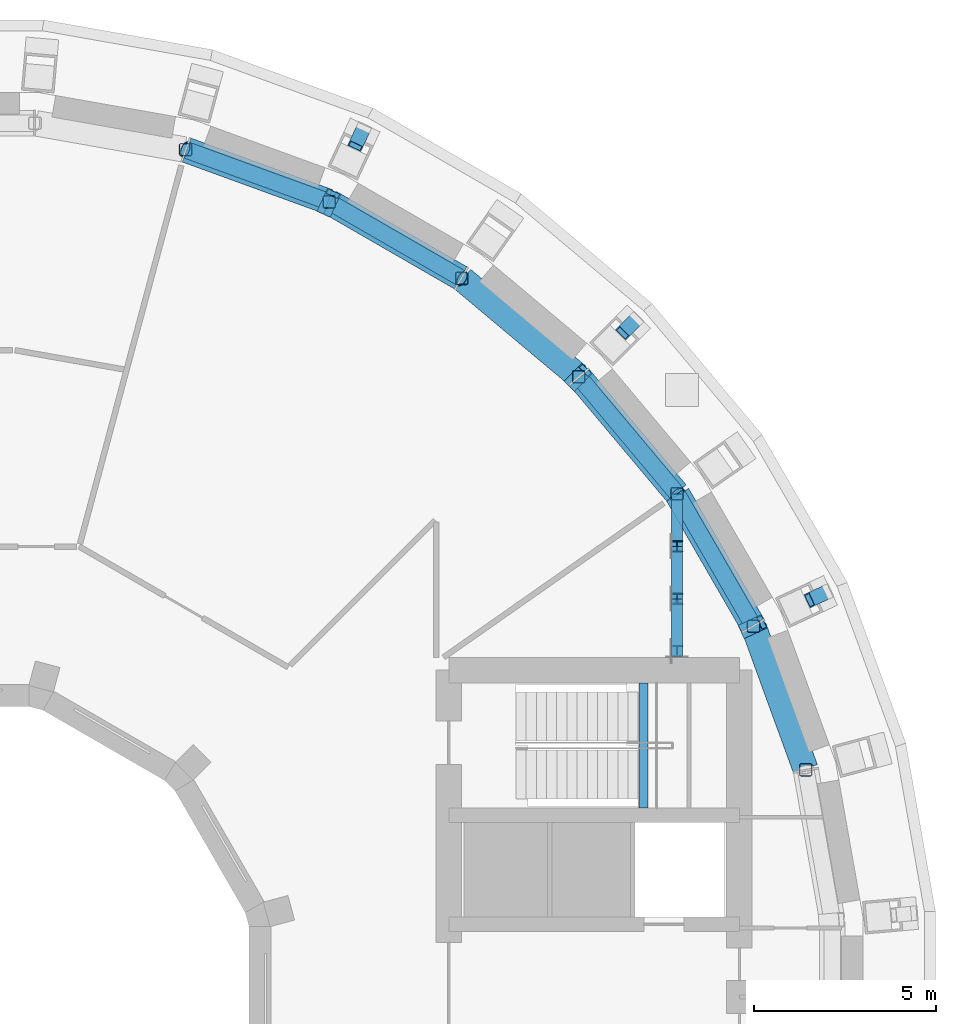
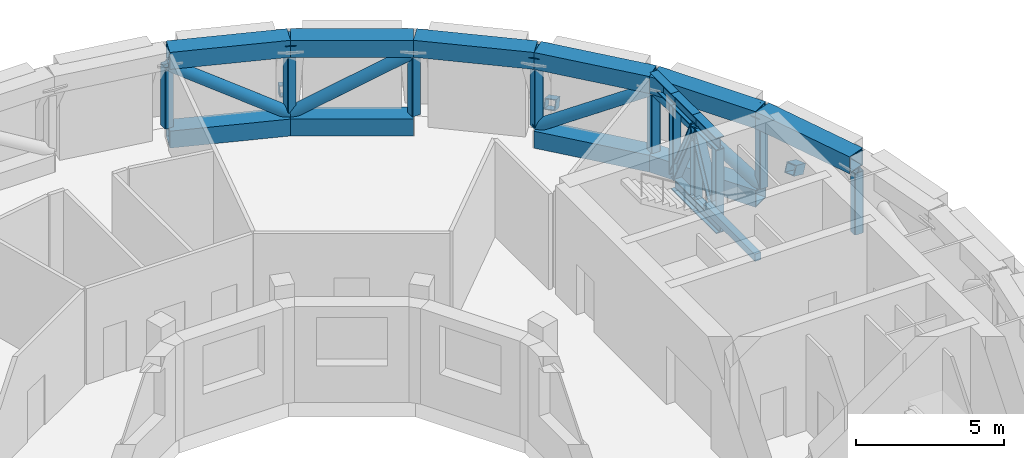
# One storey, part 6 of 20: 31 members, 7 beams.
"""IFC4 building model written with IfcOpenShell, lengths in metres."""

from ifc_helpers import new_model, si_unit, direction, frame, origin, origin_2d, place, context, subcontext, project, spatial, rectangle, hollow_rectangle, hollow_circle, i_section, extrude, material, material_profile, profile_set, type_object, element, save


model = new_model("IFC4")

# Units and contexts
model_context = context("Model", 3, precision=1e-05, world=origin(), true_north=direction((0.0, 1.0)))
body_context = subcontext(model_context, "Body", "Model", "MODEL_VIEW")
ifc_project = project(units=[si_unit("LENGTHUNIT", "METRE"), si_unit("AREAUNIT", "SQUARE_METRE"), si_unit("VOLUMEUNIT", "CUBIC_METRE"), si_unit("PLANEANGLEUNIT", "RADIAN"), si_unit("MASSUNIT", "GRAM", prefix="KILO")], contexts=[model_context])

# Site, building, storey
site_placement = place(None, origin())
site = spatial("IfcSite", under=ifc_project, at=site_placement, CompositionType="ELEMENT")
building_placement = place(site_placement, origin())
building = spatial("IfcBuilding", under=site, at=building_placement, Name="Saqina Gate Tower", CompositionType="ELEMENT")
storey_placement = place(building_placement, frame((0.0, 0.0, 151.300048828125)))
storey = spatial("IfcBuildingStorey", under=building, at=storey_placement, Name="L43", CompositionType="ELEMENT", Elevation=151.300048828125)

# Beam
ifc_material_1 = material(Name="Concrete C40/50", Category="concrete")
ifc_material_profile_1 = material_profile(ifc_material_1, rectangle(XDim=0.25, YDim=0.300048828125, at=origin_2d()), Name="STAIR LANDING BEAM")
ifc_profile_set_1 = profile_set([ifc_material_profile_1], Name="Concrete C40/50")
beam_type_1 = type_object("IfcBeamType", Name="STAIR LANDING BEAM", PredefinedType="BEAM", material=ifc_profile_set_1)
beam_placement = place(storey_placement, frame((18.860107421875, 5.199951171875, 1.849853515625), z_axis=(0.0, 1.0, 0.0), x_axis=(-1.0, 0.0, 0.0)))
element("IfcBeam", 1, at=beam_placement, inside=storey, type_object=beam_type_1, Name="EXIT STAIR 1 LANDING BEAM", PredefinedType="BEAM", context=body_context, shape_type="SweptSolid", body=[
    extrude(rectangle(XDim=0.25, YDim=0.300048828125, at=origin_2d()), origin(), (0.0, 0.0, 1.0), 3.449951171875),
])

# Members
ifc_material_2 = material(Name="Steel S460", Category="steel")
ifc_material_profile_2 = material_profile(ifc_material_2, hollow_rectangle(XDim=0.699951171875, YDim=0.699951171875, WallThickness=0.0400390625, at=origin_2d()), Name="BOX 700x700x40")
ifc_profile_set_2 = profile_set([ifc_material_profile_2], Name="Steel S460")
member_type_1 = type_object("IfcMemberType", Name="STR-BELT TRUSS L43 CHORD-BOX 700x700x40", PredefinedType="CHORD", material=ifc_profile_set_2)
for number, where, z_axis, x_axis, name in (
    (2, (23.316650390625, 6.279296875, 3.599853515625), (-0.342045465263, 0.939683403968, 0.0), (-0.939683403968, -0.342045465263, 0.0), "BELT TRUSS L43 CHORD 004"),
    (3, (21.8720703125, 10.232666015625, 0.349853515625), (-0.4999873519, 0.866032706045, 0.0), (-0.866032706045, -0.4999873519, 0.0), "BELT TRUSS L43 CHORD 005"),
    (4, (21.8720703125, 10.232666015625, 3.599853515625), (-0.4999873519, 0.866032706045, 0.0), (-0.866032706045, -0.4999873519, 0.0), "BELT TRUSS L43 CHORD 006"),
):
    element("IfcMember", number, at=place(storey_placement, frame(where, z_axis=z_axis, x_axis=x_axis)), inside=storey, type_object=member_type_1, Name=name, PredefinedType="CHORD", context=body_context, shape_type="SweptSolid", body=[
        extrude(hollow_rectangle(XDim=0.699951171875, YDim=0.699951171875, WallThickness=0.0400390625, at=origin_2d()), origin(), (0.0, 0.0, 1.0), 4.1484375),
    ])
for number, where, z_axis, x_axis, name in (
    (5, (19.762939453125, 13.875244140625, 0.349853515625), (-0.642802807898, 0.766031690049, 0.0), (-0.766031690049, -0.642802807898, 0.0), "BELT TRUSS L43 CHORD 008"),
    (6, (19.762939453125, 13.875244140625, 3.599853515625), (-0.642802807898, 0.766031690049, 0.0), (-0.766031690049, -0.642802807898, 0.0), "BELT TRUSS L43 CHORD 009"),
    (7, (17.05322265625, 17.09619140625, 3.599853515625), (-0.766031690049, 0.642802807898, 0.0), (-0.642802807898, -0.766031690049, 0.0), "BELT TRUSS L43 CHORD 011"),
):
    element("IfcMember", number, at=place(storey_placement, frame(where, z_axis=z_axis, x_axis=x_axis)), inside=storey, type_object=member_type_1, Name=name, PredefinedType="CHORD", context=body_context, shape_type="SweptSolid", body=[
        extrude(hollow_rectangle(XDim=0.699951171875, YDim=0.699951171875, WallThickness=0.0400390625, at=origin_2d()), origin(), (0.0, 0.0, 1.0), 4.148681640625),
    ])
for number, where, z_axis, x_axis, name in (
    (8, (13.825439453125, 19.7978515625, 0.349853515625), (-0.866032706045, 0.4999873519, 0.0), (-0.4999873519, -0.866032706045, 0.0), "BELT TRUSS L43 CHORD 012"),
    (9, (13.825439453125, 19.7978515625, 3.599853515625), (-0.866032706045, 0.4999873519, 0.0), (-0.4999873519, -0.866032706045, 0.0), "BELT TRUSS L43 CHORD 013"),
    (10, (10.177490234375, 21.897705078125, 0.349853515625), (-0.939683403968, 0.342045465263, 0.0), (-0.342045465263, -0.939683403968, 0.0), "BELT TRUSS L43 CHORD 015"),
    (11, (10.177490234375, 21.897705078125, 3.599853515625), (-0.939683403968, 0.342045465263, 0.0), (-0.342045465263, -0.939683403968, 0.0), "BELT TRUSS L43 CHORD 016"),
):
    element("IfcMember", number, at=place(storey_placement, frame(where, z_axis=z_axis, x_axis=x_axis)), inside=storey, type_object=member_type_1, Name=name, PredefinedType="CHORD", context=body_context, shape_type="SweptSolid", body=[
        extrude(hollow_rectangle(XDim=0.699951171875, YDim=0.699951171875, WallThickness=0.0400390625, at=origin_2d()), origin(), (0.0, 0.0, 1.0), 4.1484375),
    ])
ifc_material_3 = material(Name="Steel S460", Category="steel")
ifc_material_profile_3 = material_profile(ifc_material_3, hollow_circle(Radius=0.228515625, WallThickness=0.02001953125, at=origin_2d()), Name="CHS 457x20")
ifc_profile_set_3 = profile_set([ifc_material_profile_3], Name="Steel S460")
member_type_2 = type_object("IfcMemberType", Name="STR-BELT TRUSS L43 DIAGONAL-CHS 457x20", PredefinedType="BRACE", material=ifc_profile_set_3)
member_1_placement = place(storey_placement, frame((21.892578125, 10.197265625, 0.69384765625), z_axis=(-0.427681122719, 0.740741335125, 0.518064794892), x_axis=(-0.86601836006, -0.500012199891, 0.0)))
element("IfcMember", 12, at=member_1_placement, inside=storey, type_object=member_type_2, Name="BELT TRUSS L43 DIAGONAL 007", PredefinedType="BRACE", context=body_context, shape_type="SweptSolid", body=[
    extrude(hollow_circle(Radius=0.228515625, WallThickness=0.02001953125, at=origin_2d()), origin(), (0.0, 0.0, 1.0), 4.94580078125),
])
member_2_placement = place(storey_placement, frame((19.7890625, 13.843994140625, 3.256103515625), z_axis=(-0.549782396267, 0.655226878482, -0.51808981313), x_axis=(-0.766054941211, -0.64277509834, 0.0)))
element("IfcMember", 13, at=member_2_placement, inside=storey, type_object=member_type_2, Name="BELT TRUSS L43 DIAGONAL 010", PredefinedType="BRACE", context=body_context, shape_type="SweptSolid", body=[
    extrude(hollow_circle(Radius=0.228515625, WallThickness=0.02001953125, at=origin_2d()), origin(), (0.0, 0.0, 1.0), 4.945556640625),
])
member_3_placement = place(storey_placement, frame((13.86083984375, 19.77734375, 3.256103515625), z_axis=(-0.740741335125, 0.427681122719, -0.518064794892), x_axis=(-0.500012199891, -0.86601836006, 0.0)))
element("IfcMember", 14, at=member_3_placement, inside=storey, type_object=member_type_2, Name="BELT TRUSS L43 DIAGONAL 014", PredefinedType="BRACE", context=body_context, shape_type="SweptSolid", body=[
    extrude(hollow_circle(Radius=0.228515625, WallThickness=0.02001953125, at=origin_2d()), origin(), (0.0, 0.0, 1.0), 4.94580078125),
])
member_4_placement = place(storey_placement, frame((10.2158203125, 21.8837890625, 0.69384765625), z_axis=(-0.803751972333, 0.292533729766, 0.518079901096), x_axis=(-0.34201181836, -0.939695650784, 0.0)))
element("IfcMember", 15, at=member_4_placement, inside=storey, type_object=member_type_2, Name="BELT TRUSS L43 DIAGONAL 017", PredefinedType="BRACE", context=body_context, shape_type="SweptSolid", body=[
    extrude(hollow_circle(Radius=0.228515625, WallThickness=0.02001953125, at=origin_2d()), origin(), (0.0, 0.0, 1.0), 4.945556640625),
])
ifc_material_4 = material(Name="Steel S460", Category="steel")
ifc_material_profile_4 = material_profile(ifc_material_4, hollow_rectangle(XDim=0.35009765625, YDim=0.35009765625, WallThickness=0.01611328125, InnerFilletRadius=0.031982421875, OuterFilletRadius=0.048095703125, at=origin_2d()), Name="SHS 350x350x16")
ifc_profile_set_4 = profile_set([ifc_material_profile_4], Name="Steel S460")
member_type_3 = type_object("IfcMemberType", Name="STR-BELT TRUSS L43 POST-SHS 350x350x16", PredefinedType="POST", material=ifc_profile_set_4)
for number, where, z_axis, x_axis, name in (
    (16, (23.3271484375, 6.25048828125, 0.699951171875), (0.0, 0.0, 1.0), (1.0, 0.0, 0.0), "BELT TRUSS L43 POST 085"),
    (17, (21.887451171875, 10.206298828125, 0.699951171875), (0.0, 0.0, 1.0), (1.0, 0.0, 0.0), "BELT TRUSS L43 POST 086"),
    (18, (19.782470703125, 13.851806640625, 0.699951171875), (0.0, 0.0, 1.0), (1.0, 0.0, 0.0), "BELT TRUSS L43 POST 087"),
    (19, (17.07666015625, 17.07666015625, 0.699951171875), (0.0, 0.0, 1.0), (1.0, 0.0, 0.0), "BELT TRUSS L43 POST 088"),
    (20, (13.851806640625, 19.782470703125, 0.699951171875), (0.0, 0.0, 1.0), (1.0, 0.0, 0.0), "BELT TRUSS L43 POST 089"),
    (21, (10.206298828125, 21.887451171875, 0.699951171875), (0.0, 0.0, 1.0), (1.0, 0.0, 0.0), "BELT TRUSS L43 POST 090"),
    (22, (6.25048828125, 23.3271484375, 0.699951171875), (0.0, 0.0, 1.0), (1.0, 0.0, 0.0), "BELT TRUSS L43 POST 091"),
):
    element("IfcMember", number, at=place(storey_placement, frame(where, z_axis=z_axis, x_axis=x_axis)), inside=storey, type_object=member_type_3, Name=name, PredefinedType="POST", context=body_context, shape_type="SweptSolid", body=[
        extrude(hollow_rectangle(XDim=0.35009765625, YDim=0.35009765625, WallThickness=0.01611328125, InnerFilletRadius=0.031982421875, OuterFilletRadius=0.048095703125, at=origin_2d()), origin(), (0.0, 0.0, 1.0), 2.550048828125),
    ])

# Beams
ifc_material_5 = material(Name="Steel S460", Category="steel")
ifc_material_profile_5 = material_profile(ifc_material_5, hollow_rectangle(XDim=0.39990234375, YDim=0.39990234375, WallThickness=0.030029296875, at=origin_2d()), Name="BOX 400x400x30")
ifc_profile_set_5 = profile_set([ifc_material_profile_5], Name="Steel S460")
beam_type_2 = type_object("IfcBeamType", Name="STR-NODE TIE BEAM L43-BOX 400x400x30", PredefinedType="BEAM", material=ifc_profile_set_5)
for number, where, z_axis, x_axis, name in (
    (23, (23.926513671875, 11.1572265625, 0.185302734375), (-0.839862544112, -0.39155197943, 0.37592280378), (0.42254525848, -0.906341825437, 0.0), "NODE TIE BEAM L43 03 FOOT"),
    (24, (21.615478515625, 10.079345703125, 3.54150390625), (0.839862544112, 0.39155197943, 0.37592280378), (-0.42254525848, 0.906341825437, 0.0), "NODE TIE BEAM L43 03 HEAD"),
    (25, (18.667724609375, 18.667724609375, 0.185302734375), (-0.655234170269, -0.655234170269, 0.375947289156), (0.707106781187, -0.707106781187, 0.0), "NODE TIE BEAM L43 05 FOOT"),
    (26, (16.864501953125, 16.864501953125, 3.54150390625), (0.655234170269, 0.655234170269, 0.375947289156), (-0.707106781187, 0.707106781187, 0.0), "NODE TIE BEAM L43 05 HEAD"),
    (27, (11.1572265625, 23.926513671875, 0.185302734375), (-0.39155197943, -0.839862544112, 0.37592280378), (0.906341825437, -0.42254525848, 0.0), "NODE TIE BEAM L43 07 FOOT"),
    (28, (10.079345703125, 21.615478515625, 3.54150390625), (0.39155197943, 0.839862544112, 0.37592280378), (-0.906341825437, 0.42254525848, 0.0), "NODE TIE BEAM L43 07 HEAD"),
):
    element("IfcBeam", number, at=place(storey_placement, frame(where, z_axis=z_axis, x_axis=x_axis)), inside=storey, type_object=beam_type_2, Name=name, PredefinedType="BEAM", context=body_context, shape_type="SweptSolid", body=[
        extrude(hollow_rectangle(XDim=0.39990234375, YDim=0.39990234375, WallThickness=0.030029296875, at=origin_2d()), origin(), (0.0, 0.0, 1.0), 0.593505859375),
    ])

# Members
ifc_material_6 = material(Name="Steel S460", Category="steel")
ifc_material_profile_6 = material_profile(ifc_material_6, i_section(OverallWidth=0.305908203125, OverallDepth=0.52392578125, WebThickness=0.02099609375, FlangeThickness=0.0400390625, FilletRadius=0.027099609375, at=origin_2d()), Name="HE 500 M")
ifc_profile_set_6 = profile_set([ifc_material_profile_6], Name="Steel S460")
member_type_4 = type_object("IfcMemberType", Name="STR-OUTRIGGER TRUSS L43 CHORD-HE 500 M", PredefinedType="CHORD", material=ifc_profile_set_6)
for number, where, z_axis, x_axis, name in (
    (29, (19.782470703125, 9.367919921875, 0.261962890625), (0.0, 1.0, 0.0), (-1.0, 0.0, 0.0), "OUTRIGGER TRUSS L43 CHORD 120"),
    (30, (19.782470703125, 9.367919921875, 3.68798828125), (0.0, 1.0, 0.0), (-1.0, 0.0, 0.0), "OUTRIGGER TRUSS L43 CHORD 121"),
):
    element("IfcMember", number, at=place(storey_placement, frame(where, z_axis=z_axis, x_axis=x_axis)), inside=storey, type_object=member_type_4, Name=name, PredefinedType="CHORD", context=body_context, shape_type="SweptSolid", body=[
        extrude(i_section(OverallWidth=0.305908203125, OverallDepth=0.52392578125, WebThickness=0.02099609375, FlangeThickness=0.0400390625, FilletRadius=0.027099609375, at=origin_2d()), origin(), (0.0, 0.0, 1.0), 1.5947265625),
    ])
for number, where, z_axis, x_axis, name in (
    (31, (19.782470703125, 10.962646484375, 0.261962890625), (0.0, 1.0, 0.0), (-1.0, 0.0, 0.0), "OUTRIGGER TRUSS L43 CHORD 123"),
    (32, (19.782470703125, 10.962646484375, 3.68798828125), (0.0, 1.0, 0.0), (-1.0, 0.0, 0.0), "OUTRIGGER TRUSS L43 CHORD 124"),
    (33, (19.782470703125, 12.4072265625, 3.68798828125), (0.0, 1.0, 0.0), (-1.0, 0.0, 0.0), "OUTRIGGER TRUSS L43 CHORD 126"),
):
    element("IfcMember", number, at=place(storey_placement, frame(where, z_axis=z_axis, x_axis=x_axis)), inside=storey, type_object=member_type_4, Name=name, PredefinedType="CHORD", context=body_context, shape_type="SweptSolid", body=[
        extrude(i_section(OverallWidth=0.305908203125, OverallDepth=0.52392578125, WebThickness=0.02099609375, FlangeThickness=0.0400390625, FilletRadius=0.027099609375, at=origin_2d()), origin(), (0.0, 0.0, 1.0), 1.444580078125),
    ])
ifc_material_7 = material(Name="Steel S460", Category="steel")
ifc_material_profile_7 = material_profile(ifc_material_7, i_section(OverallWidth=0.31005859375, OverallDepth=0.340087890625, WebThickness=0.02099609375, FlangeThickness=0.0390625, FilletRadius=0.027099609375, at=origin_2d()), Name="HE 300 M")
ifc_profile_set_7 = profile_set([ifc_material_profile_7], Name="Steel S460")
member_type_5 = type_object("IfcMemberType", Name="STR-OUTRIGGER TRUSS L43 DIAGONAL-HE 300 M", PredefinedType="BRACE", material=ifc_profile_set_7)
for number, where, z_axis, x_axis, name in (
    (34, (19.782470703125, 9.5126953125, 0.51318359375), (0.0, 0.445628039484, 0.89521821386), (-1.0, 0.0, 0.0), "OUTRIGGER TRUSS L43 DIAGONAL 122"),
    (35, (19.782470703125, 10.957275390625, 3.436767578125), (0.0, 0.445628039484, -0.89521821386), (-1.0, 0.0, 0.0), "OUTRIGGER TRUSS L43 DIAGONAL 125"),
):
    element("IfcMember", number, at=place(storey_placement, frame(where, z_axis=z_axis, x_axis=x_axis)), inside=storey, type_object=member_type_5, Name=name, PredefinedType="BRACE", context=body_context, shape_type="SweptSolid", body=[
        extrude(i_section(OverallWidth=0.31005859375, OverallDepth=0.340087890625, WebThickness=0.02099609375, FlangeThickness=0.0390625, FilletRadius=0.027099609375, at=origin_2d()), origin(), (0.0, 0.0, 1.0), 3.265869140625),
    ])
ifc_material_8 = material(Name="Steel S460", Category="steel")
ifc_material_profile_8 = material_profile(ifc_material_8, i_section(OverallWidth=0.300048828125, OverallDepth=0.300048828125, WebThickness=0.010986328125, FlangeThickness=0.01904296875, FilletRadius=0.027099609375, at=origin_2d()), Name="HE 300 B")
ifc_profile_set_8 = profile_set([ifc_material_profile_8], Name="Steel S460")
member_type_6 = type_object("IfcMemberType", Name="STR-OUTRIGGER TRUSS L43 POST-HE 300 B", PredefinedType="POST", material=ifc_profile_set_8)
for number, where, z_axis, x_axis, name in (
    (36, (19.782470703125, 9.51806640625, 0.52392578125), (0.0, 0.0, 1.0), (1.0, 0.0, 0.0), "OUTRIGGER TRUSS L43 POST 127"),
    (37, (19.782470703125, 10.962646484375, 0.52392578125), (0.0, 0.0, 1.0), (1.0, 0.0, 0.0), "OUTRIGGER TRUSS L43 POST 128"),
    (38, (19.782470703125, 12.4072265625, 0.52392578125), (0.0, 0.0, 1.0), (1.0, 0.0, 0.0), "OUTRIGGER TRUSS L43 POST 129"),
):
    element("IfcMember", number, at=place(storey_placement, frame(where, z_axis=z_axis, x_axis=x_axis)), inside=storey, type_object=member_type_6, Name=name, PredefinedType="POST", context=body_context, shape_type="SweptSolid", body=[
        extrude(i_section(OverallWidth=0.300048828125, OverallDepth=0.300048828125, WebThickness=0.010986328125, FlangeThickness=0.01904296875, FilletRadius=0.027099609375, at=origin_2d()), origin(), (0.0, 0.0, 1.0), 2.902099609375),
    ])

save(model, "model.ifc")
